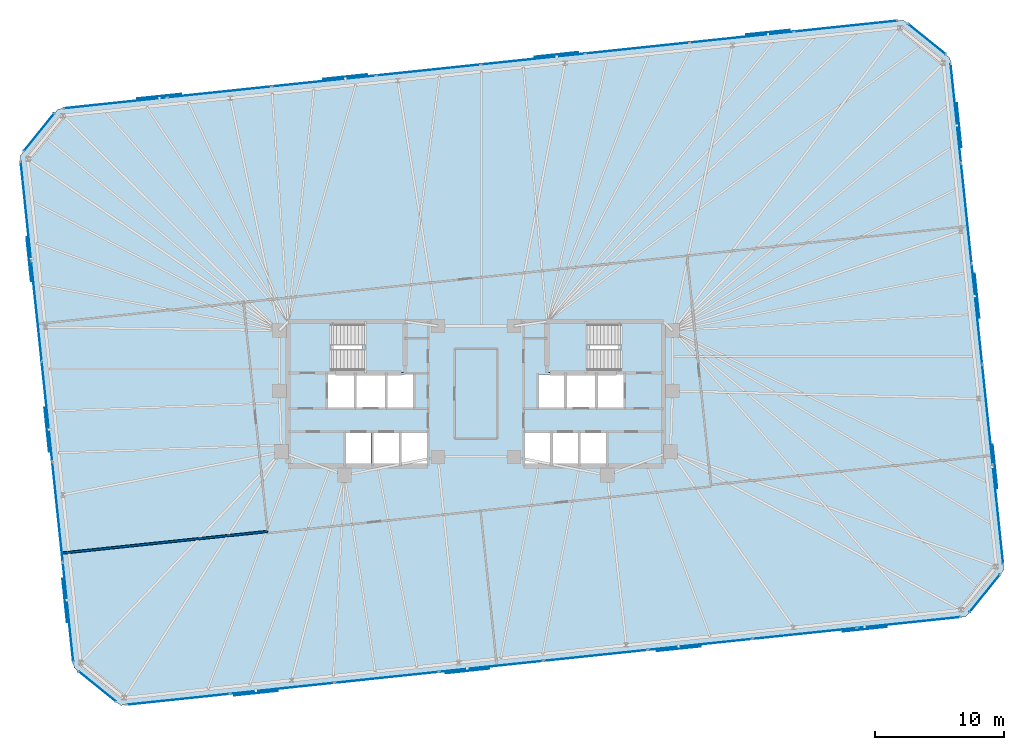
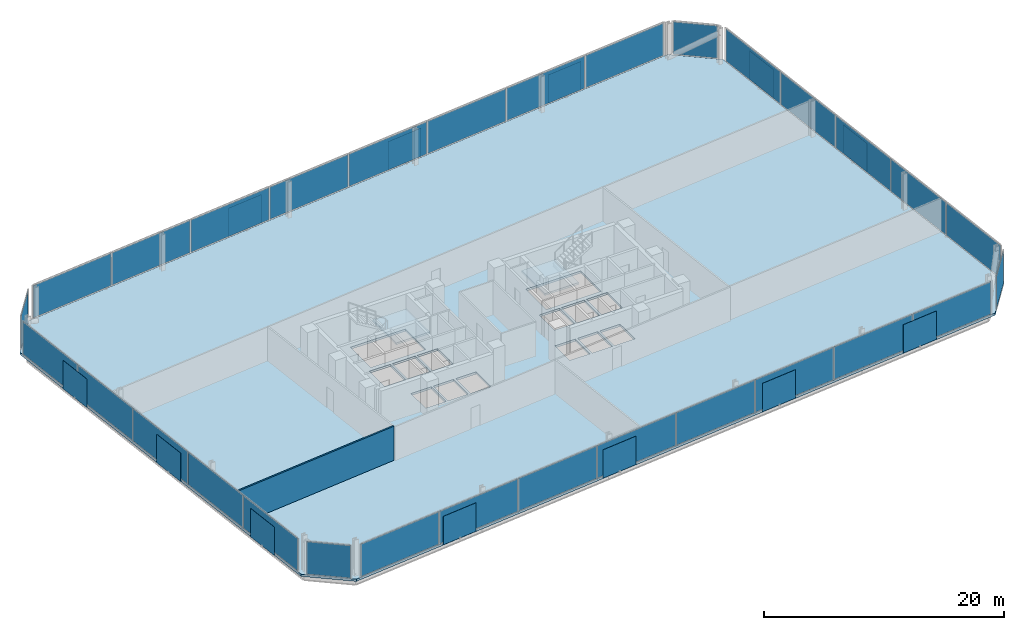
# One storey, part 13 of 17: 44 plates, 3 slabs, 1 wall, 10 elements without a shape of their own.
"""IFC4 building model written with IfcOpenShell, lengths in metres."""

from ifc_helpers import new_model, si_unit, direction, frame, frame_2d, origin, origin_2d, place, context, subcontext, project, spatial, polyline, rectangle, outline, extrude, material, layer, layer_set, type_object, element, aggregate, save


model = new_model("IFC4")

# Units and contexts
model_context = context("Model", 3, precision=1e-05, world=origin(), true_north=direction((0.0, 1.0)))
body_context = subcontext(model_context, "Body", "Model", "MODEL_VIEW")
ifc_project = project(units=[si_unit("LENGTHUNIT", "METRE"), si_unit("AREAUNIT", "SQUARE_METRE"), si_unit("VOLUMEUNIT", "CUBIC_METRE"), si_unit("PLANEANGLEUNIT", "RADIAN"), si_unit("MASSUNIT", "GRAM", prefix="KILO")], contexts=[model_context])

# Site, building, storey
site_placement = place(None, origin())
site = spatial("IfcSite", under=ifc_project, at=site_placement, CompositionType="ELEMENT")
building_placement = place(site_placement, origin())
building = spatial("IfcBuilding", under=site, at=building_placement, Name="Menara Jurai Vektor", CompositionType="ELEMENT")
storey_placement = place(building_placement, frame((0.0, 0.0, 109.60009765625)))
storey = spatial("IfcBuildingStorey", under=building, at=storey_placement, Name="L27", CompositionType="ELEMENT", Elevation=109.60009765625)

# Curtain wall, plates
ifc_material_1 = material(Name="Anodised Pale Aluminium & Low-E Double Glazing", Category="aluminium")
curtain_wall_type = type_object("IfcCurtainWallType", Name="CW-BLK2", PredefinedType="NOTDEFINED", material=ifc_material_1)
curtain_wall_1_placement = place(storey_placement, origin())
curtain_wall_1 = element("IfcCurtainWall", 1, at=curtain_wall_1_placement, inside=storey, type_object=curtain_wall_type, Name="Unitised Curtain Wall L27 F01", PredefinedType="NOTDEFINED")
ifc_material_2 = material(Name="Low-E Solar-Control Double Glazed Unit", Category="glass")
ifc_layer_1 = layer(ifc_material_2, 0.033935546875)
ifc_layer_set_1 = layer_set([ifc_layer_1], Name="Low-E Solar-Control Double Glazed Unit")
plate_type_1 = type_object("IfcPlateType", Name="CW-BLK2-PNL", PredefinedType="CURTAIN_PANEL", material=ifc_layer_set_1)
plate_1_placement = place(storey_placement, frame((-23.090087890625, -23.69921875, 0.08984375), z_axis=(0.0, 0.0, 1.0), x_axis=(0.994521877325, 0.104528634935, 0.0)))
plate_1 = element("IfcPlate", 2, at=plate_1_placement, type_object=plate_type_1, Name="CW-02 panel 1.1", PredefinedType="CURTAIN_PANEL", context=body_context, shape_type="SweptSolid", body=[
    extrude(rectangle(XDim=8.007568359375, YDim=0.033935546875, at=origin_2d()), origin(), (0.0, 0.0, 1.0), 3.294921875),
])
plate_2_placement = place(storey_placement, frame((-15.014404296875, -22.850341796875, 0.08984375), z_axis=(0.0, 0.0, 1.0), x_axis=(0.994521877325, 0.104528634935, 0.0)))
plate_2 = element("IfcPlate", 3, at=plate_2_placement, type_object=plate_type_1, Name="CW-02 panel 2.1", PredefinedType="CURTAIN_PANEL", context=body_context, shape_type="SweptSolid", body=[
    extrude(rectangle(XDim=8.052490234375, YDim=0.033935546875, at=origin_2d()), origin(), (0.0, 0.0, 1.0), 3.294921875),
])
plate_3_placement = place(storey_placement, frame((-6.91650390625, -21.999267578125, 0.08984375), z_axis=(0.0, 0.0, 1.0), x_axis=(0.994521877325, 0.104528634935, 0.0)))
plate_3 = element("IfcPlate", 4, at=plate_3_placement, type_object=plate_type_1, Name="CW-02 panel 3.1", PredefinedType="CURTAIN_PANEL", context=body_context, shape_type="SweptSolid", body=[
    extrude(rectangle(XDim=8.052490234375, YDim=0.033935546875, at=origin_2d()), origin(), (0.0, 0.0, 1.0), 3.294921875),
])
plate_4_placement = place(storey_placement, frame((1.181396484375, -21.148193359375, 0.08984375), z_axis=(0.0, 0.0, 1.0), x_axis=(0.994521877325, 0.104528634935, 0.0)))
plate_4 = element("IfcPlate", 5, at=plate_4_placement, type_object=plate_type_1, Name="CW-02 panel 4.1", PredefinedType="CURTAIN_PANEL", context=body_context, shape_type="SweptSolid", body=[
    extrude(rectangle(XDim=8.052490234375, YDim=0.033935546875, at=origin_2d()), origin(), (0.0, 0.0, 1.0), 3.294921875),
])
plate_5_placement = place(storey_placement, frame((9.279296875, -20.297119140625, 0.08984375), z_axis=(0.0, 0.0, 1.0), x_axis=(0.994521877325, 0.104528634935, 0.0)))
plate_5 = element("IfcPlate", 6, at=plate_5_placement, type_object=plate_type_1, Name="CW-02 panel 5.1", PredefinedType="CURTAIN_PANEL", context=body_context, shape_type="SweptSolid", body=[
    extrude(rectangle(XDim=8.052490234375, YDim=0.033935546875, at=origin_2d()), origin(), (0.0, 0.0, 1.0), 3.294921875),
])
plate_6_placement = place(storey_placement, frame((17.377197265625, -19.44580078125, 0.08984375), z_axis=(0.0, 0.0, 1.0), x_axis=(0.994521877325, 0.104528634935, 0.0)))
plate_6 = element("IfcPlate", 7, at=plate_6_placement, type_object=plate_type_1, Name="CW-02 panel 6.1", PredefinedType="CURTAIN_PANEL", context=body_context, shape_type="SweptSolid", body=[
    extrude(rectangle(XDim=8.052490234375, YDim=0.033935546875, at=origin_2d()), origin(), (0.0, 0.0, 1.0), 3.294921875),
])
plate_7_placement = place(storey_placement, frame((25.47509765625, -18.5947265625, 0.08984375), z_axis=(0.0, 0.0, 1.0), x_axis=(0.994521877325, 0.104528634935, 0.0)))
plate_7 = element("IfcPlate", 8, at=plate_7_placement, type_object=plate_type_1, Name="CW-02 panel 7.1", PredefinedType="CURTAIN_PANEL", context=body_context, shape_type="SweptSolid", body=[
    extrude(rectangle(XDim=8.052490234375, YDim=0.033935546875, at=origin_2d()), origin(), (0.0, 0.0, 1.0), 3.294921875),
])
plate_8_placement = place(storey_placement, frame((33.550537109375, -17.74609375, 0.08984375), z_axis=(0.0, 0.0, 1.0), x_axis=(0.994521877325, 0.104528634935, 0.0)))
plate_8 = element("IfcPlate", 9, at=plate_8_placement, type_object=plate_type_1, Name="CW-02 panel 8.1", PredefinedType="CURTAIN_PANEL", context=body_context, shape_type="SweptSolid", body=[
    extrude(rectangle(XDim=8.007568359375, YDim=0.033935546875, at=origin_2d()), origin(), (0.0, 0.0, 1.0), 3.294921875),
])
aggregate(curtain_wall_1, [plate_1, plate_2, plate_3, plate_4, plate_5, plate_6, plate_7, plate_8])

curtain_wall_2_placement = place(storey_placement, origin())
curtain_wall_2 = element("IfcCurtainWall", 10, at=curtain_wall_2_placement, inside=storey, type_object=curtain_wall_type, Name="Unitised Curtain Wall L27 F03", PredefinedType="NOTDEFINED")
plate_9_placement = place(storey_placement, frame((40.485595703125, -9.358642578125, 0.08984375), z_axis=(0.0, 0.0, 1.0), x_axis=(-0.104529576902, 0.99452177832, 0.0)))
plate_9 = element("IfcPlate", 11, at=plate_9_placement, type_object=plate_type_1, Name="CW-02 panel 1.1", PredefinedType="CURTAIN_PANEL", context=body_context, shape_type="SweptSolid", body=[
    extrude(rectangle(XDim=7.693115234375, YDim=0.033935546875, at=origin_2d()), origin(), (0.0, 0.0, 1.0), 3.294921875),
])
plate_10_placement = place(storey_placement, frame((39.669677734375, -1.595947265625, 0.08984375), z_axis=(0.0, 0.0, 1.0), x_axis=(-0.104529576902, 0.99452177832, 0.0)))
plate_10 = element("IfcPlate", 12, at=plate_10_placement, type_object=plate_type_1, Name="CW-02 panel 2.1", PredefinedType="CURTAIN_PANEL", context=body_context, shape_type="SweptSolid", body=[
    extrude(rectangle(XDim=7.738037109375, YDim=0.033935546875, at=origin_2d()), origin(), (0.0, 0.0, 1.0), 3.294921875),
])
plate_11_placement = place(storey_placement, frame((38.8515625, 6.189208984375, 0.08984375), z_axis=(0.0, 0.0, 1.0), x_axis=(-0.104529576902, 0.99452177832, 0.0)))
plate_11 = element("IfcPlate", 13, at=plate_11_placement, type_object=plate_type_1, Name="CW-02 panel 3.1", PredefinedType="CURTAIN_PANEL", context=body_context, shape_type="SweptSolid", body=[
    extrude(rectangle(XDim=7.738037109375, YDim=0.033935546875, at=origin_2d()), origin(), (0.0, 0.0, 1.0), 3.294921875),
])
plate_12_placement = place(storey_placement, frame((38.033203125, 13.974365234375, 0.08984375), z_axis=(0.0, 0.0, 1.0), x_axis=(-0.104529576902, 0.99452177832, 0.0)))
plate_12 = element("IfcPlate", 14, at=plate_12_placement, type_object=plate_type_1, Name="CW-02 panel 4.1", PredefinedType="CURTAIN_PANEL", context=body_context, shape_type="SweptSolid", body=[
    extrude(rectangle(XDim=7.738037109375, YDim=0.033935546875, at=origin_2d()), origin(), (0.0, 0.0, 1.0), 3.294921875),
])
plate_13_placement = place(storey_placement, frame((37.21728515625, 21.737060546875, 0.08984375), z_axis=(0.0, 0.0, 1.0), x_axis=(-0.104529576902, 0.99452177832, 0.0)))
plate_13 = element("IfcPlate", 15, at=plate_13_placement, type_object=plate_type_1, Name="CW-02 panel 5.1", PredefinedType="CURTAIN_PANEL", context=body_context, shape_type="SweptSolid", body=[
    extrude(rectangle(XDim=7.693115234375, YDim=0.033935546875, at=origin_2d()), origin(), (0.0, 0.0, 1.0), 3.294921875),
])
aggregate(curtain_wall_2, [plate_9, plate_10, plate_11, plate_12, plate_13])

curtain_wall_3_placement = place(storey_placement, origin())
curtain_wall_3 = element("IfcCurtainWall", 16, at=curtain_wall_3_placement, inside=storey, type_object=curtain_wall_type, Name="Unitised Curtain Wall L27 F05", PredefinedType="NOTDEFINED")
plate_14_placement = place(storey_placement, frame((28.68994140625, 28.499267578125, 0.08984375), z_axis=(0.0, 0.0, 1.0), x_axis=(-0.994521877325, -0.104528634935, 0.0)))
plate_14 = element("IfcPlate", 17, at=plate_14_placement, type_object=plate_type_1, Name="CW-02 panel 1.1", PredefinedType="CURTAIN_PANEL", context=body_context, shape_type="SweptSolid", body=[
    extrude(rectangle(XDim=8.007568359375, YDim=0.033935546875, at=origin_2d()), origin(), (0.0, 0.0, 1.0), 3.294921875),
])
plate_15_placement = place(storey_placement, frame((20.614501953125, 27.650390625, 0.08984375), z_axis=(0.0, 0.0, 1.0), x_axis=(-0.994521877325, -0.104528634935, 0.0)))
plate_15 = element("IfcPlate", 18, at=plate_15_placement, type_object=plate_type_1, Name="CW-02 panel 2.1", PredefinedType="CURTAIN_PANEL", context=body_context, shape_type="SweptSolid", body=[
    extrude(rectangle(XDim=8.052490234375, YDim=0.033935546875, at=origin_2d()), origin(), (0.0, 0.0, 1.0), 3.294921875),
])
plate_16_placement = place(storey_placement, frame((12.5166015625, 26.79931640625, 0.08984375), z_axis=(0.0, 0.0, 1.0), x_axis=(-0.994521877325, -0.104528634935, 0.0)))
plate_16 = element("IfcPlate", 19, at=plate_16_placement, type_object=plate_type_1, Name="CW-02 panel 3.1", PredefinedType="CURTAIN_PANEL", context=body_context, shape_type="SweptSolid", body=[
    extrude(rectangle(XDim=8.052490234375, YDim=0.033935546875, at=origin_2d()), origin(), (0.0, 0.0, 1.0), 3.294921875),
])
plate_17_placement = place(storey_placement, frame((4.418701171875, 25.9482421875, 0.08984375), z_axis=(0.0, 0.0, 1.0), x_axis=(-0.994521877325, -0.104528634935, 0.0)))
plate_17 = element("IfcPlate", 20, at=plate_17_placement, type_object=plate_type_1, Name="CW-02 panel 4.1", PredefinedType="CURTAIN_PANEL", context=body_context, shape_type="SweptSolid", body=[
    extrude(rectangle(XDim=8.052490234375, YDim=0.033935546875, at=origin_2d()), origin(), (0.0, 0.0, 1.0), 3.294921875),
])
plate_18_placement = place(storey_placement, frame((-3.67919921875, 25.096923828125, 0.08984375), z_axis=(0.0, 0.0, 1.0), x_axis=(-0.994521877325, -0.104528634935, 0.0)))
plate_18 = element("IfcPlate", 21, at=plate_18_placement, type_object=plate_type_1, Name="CW-02 panel 5.1", PredefinedType="CURTAIN_PANEL", context=body_context, shape_type="SweptSolid", body=[
    extrude(rectangle(XDim=8.052490234375, YDim=0.033935546875, at=origin_2d()), origin(), (0.0, 0.0, 1.0), 3.294921875),
])
plate_19_placement = place(storey_placement, frame((-11.777099609375, 24.245849609375, 0.08984375), z_axis=(0.0, 0.0, 1.0), x_axis=(-0.994521877325, -0.104528634935, 0.0)))
plate_19 = element("IfcPlate", 22, at=plate_19_placement, type_object=plate_type_1, Name="CW-02 panel 6.1", PredefinedType="CURTAIN_PANEL", context=body_context, shape_type="SweptSolid", body=[
    extrude(rectangle(XDim=8.052490234375, YDim=0.033935546875, at=origin_2d()), origin(), (0.0, 0.0, 1.0), 3.294921875),
])
plate_20_placement = place(storey_placement, frame((-19.875, 23.394775390625, 0.08984375), z_axis=(0.0, 0.0, 1.0), x_axis=(-0.994521877325, -0.104528634935, 0.0)))
plate_20 = element("IfcPlate", 23, at=plate_20_placement, type_object=plate_type_1, Name="CW-02 panel 7.1", PredefinedType="CURTAIN_PANEL", context=body_context, shape_type="SweptSolid", body=[
    extrude(rectangle(XDim=8.052490234375, YDim=0.033935546875, at=origin_2d()), origin(), (0.0, 0.0, 1.0), 3.294921875),
])
plate_21_placement = place(storey_placement, frame((-27.95068359375, 22.5458984375, 0.08984375), z_axis=(0.0, 0.0, 1.0), x_axis=(-0.994521877325, -0.104528634935, 0.0)))
plate_21 = element("IfcPlate", 24, at=plate_21_placement, type_object=plate_type_1, Name="CW-02 panel 8.1", PredefinedType="CURTAIN_PANEL", context=body_context, shape_type="SweptSolid", body=[
    extrude(rectangle(XDim=8.007568359375, YDim=0.033935546875, at=origin_2d()), origin(), (0.0, 0.0, 1.0), 3.294921875),
])
aggregate(curtain_wall_3, [plate_14, plate_15, plate_16, plate_17, plate_18, plate_19, plate_20, plate_21])

curtain_wall_4_placement = place(storey_placement, origin())
curtain_wall_4 = element("IfcCurtainWall", 25, at=curtain_wall_4_placement, inside=storey, type_object=curtain_wall_type, Name="Unitised Curtain Wall L27 F07", PredefinedType="NOTDEFINED")
plate_22_placement = place(storey_placement, frame((-34.885498046875, 14.15869140625, 0.08984375), z_axis=(0.0, 0.0, 1.0), x_axis=(0.104529576902, -0.99452177832, 0.0)))
plate_22 = element("IfcPlate", 26, at=plate_22_placement, type_object=plate_type_1, Name="CW-02 panel 1.1", PredefinedType="CURTAIN_PANEL", context=body_context, shape_type="SweptSolid", body=[
    extrude(rectangle(XDim=7.693115234375, YDim=0.033935546875, at=origin_2d()), origin(), (0.0, 0.0, 1.0), 3.294921875),
])
plate_23_placement = place(storey_placement, frame((-34.06982421875, 6.39599609375, 0.08984375), z_axis=(0.0, 0.0, 1.0), x_axis=(0.104529576902, -0.99452177832, 0.0)))
plate_23 = element("IfcPlate", 27, at=plate_23_placement, type_object=plate_type_1, Name="CW-02 panel 2.1", PredefinedType="CURTAIN_PANEL", context=body_context, shape_type="SweptSolid", body=[
    extrude(rectangle(XDim=7.738037109375, YDim=0.033935546875, at=origin_2d()), origin(), (0.0, 0.0, 1.0), 3.294921875),
])
plate_24_placement = place(storey_placement, frame((-33.25146484375, -1.38916015625, 0.08984375), z_axis=(0.0, 0.0, 1.0), x_axis=(0.104529576902, -0.99452177832, 0.0)))
plate_24 = element("IfcPlate", 28, at=plate_24_placement, type_object=plate_type_1, Name="CW-02 panel 3.1", PredefinedType="CURTAIN_PANEL", context=body_context, shape_type="SweptSolid", body=[
    extrude(rectangle(XDim=7.738037109375, YDim=0.033935546875, at=origin_2d()), origin(), (0.0, 0.0, 1.0), 3.294921875),
])
plate_25_placement = place(storey_placement, frame((-32.43310546875, -9.17431640625, 0.08984375), z_axis=(0.0, 0.0, 1.0), x_axis=(0.104529576902, -0.99452177832, 0.0)))
plate_25 = element("IfcPlate", 29, at=plate_25_placement, type_object=plate_type_1, Name="CW-02 panel 4.1", PredefinedType="CURTAIN_PANEL", context=body_context, shape_type="SweptSolid", body=[
    extrude(rectangle(XDim=7.738037109375, YDim=0.033935546875, at=origin_2d()), origin(), (0.0, 0.0, 1.0), 3.294921875),
])
plate_26_placement = place(storey_placement, frame((-31.6171875, -16.93701171875, 0.08984375), z_axis=(0.0, 0.0, 1.0), x_axis=(0.104529576902, -0.99452177832, 0.0)))
plate_26 = element("IfcPlate", 30, at=plate_26_placement, type_object=plate_type_1, Name="CW-02 panel 5.1", PredefinedType="CURTAIN_PANEL", context=body_context, shape_type="SweptSolid", body=[
    extrude(rectangle(XDim=7.693115234375, YDim=0.033935546875, at=origin_2d()), origin(), (0.0, 0.0, 1.0), 3.294921875),
])
aggregate(curtain_wall_4, [plate_22, plate_23, plate_24, plate_25, plate_26])

# Curtain wall, plate
curtain_wall_5_placement = place(storey_placement, origin())
curtain_wall_5 = element("IfcCurtainWall", 31, at=curtain_wall_5_placement, inside=storey, type_object=curtain_wall_type, Name="Unitised Curtain Wall L27 F02", PredefinedType="NOTDEFINED")
ifc_material_3 = material(Name="Insulated Pale Aluminium Spandrel Panel", Category="aluminium")
ifc_layer_2 = layer(ifc_material_3, 0.06005859375)
ifc_layer_set_2 = layer_set([ifc_layer_2], Name="Insulated Pale Aluminium Spandrel Panel")
plate_type_2 = type_object("IfcPlateType", Name="CW-PNL-SP", PredefinedType="CURTAIN_PANEL", material=ifc_layer_set_2)
plate_27_placement = place(storey_placement, frame((39.46826171875, -15.465087890625, 0.08984375), z_axis=(0.0, 0.0, 1.0), x_axis=(0.62934106172, 0.777129222223, 0.0)))
plate_27 = element("IfcPlate", 32, at=plate_27_placement, type_object=plate_type_2, Name="CW-02 panel 1.1", PredefinedType="CURTAIN_PANEL", context=body_context, shape_type="SweptSolid", body=[
    extrude(rectangle(XDim=3.72705078125, YDim=0.06005859375, at=origin_2d()), origin(), (0.0, 0.0, 1.0), 3.294921875),
])
aggregate(curtain_wall_5, [plate_27])

curtain_wall_6_placement = place(storey_placement, origin())
curtain_wall_6 = element("IfcCurtainWall", 33, at=curtain_wall_6_placement, inside=storey, type_object=curtain_wall_type, Name="Unitised Curtain Wall L27 F04", PredefinedType="NOTDEFINED")
plate_28_placement = place(storey_placement, frame((34.95263671875, 27.498291015625, 0.08984375), z_axis=(0.0, 0.0, 1.0), x_axis=(-0.777151877437, 0.629313085353, 0.0)))
plate_28 = element("IfcPlate", 34, at=plate_28_placement, type_object=plate_type_2, Name="CW-02 panel 1.1", PredefinedType="CURTAIN_PANEL", context=body_context, shape_type="SweptSolid", body=[
    extrude(rectangle(XDim=3.72705078125, YDim=0.06005859375, at=origin_2d()), origin(), (0.0, 0.0, 1.0), 3.294921875),
])
aggregate(curtain_wall_6, [plate_28])

curtain_wall_7_placement = place(storey_placement, origin())
curtain_wall_7 = element("IfcCurtainWall", 35, at=curtain_wall_7_placement, inside=storey, type_object=curtain_wall_type, Name="Unitised Curtain Wall L27 F06", PredefinedType="NOTDEFINED")
plate_29_placement = place(storey_placement, frame((-33.868408203125, 20.264892578125, 0.08984375), z_axis=(0.0, 0.0, 1.0), x_axis=(-0.62934106172, -0.777129222223, 0.0)))
plate_29 = element("IfcPlate", 36, at=plate_29_placement, type_object=plate_type_2, Name="CW-02 panel 1.1", PredefinedType="CURTAIN_PANEL", context=body_context, shape_type="SweptSolid", body=[
    extrude(rectangle(XDim=3.72705078125, YDim=0.06005859375, at=origin_2d()), origin(), (0.0, 0.0, 1.0), 3.294921875),
])
aggregate(curtain_wall_7, [plate_29])

curtain_wall_8_placement = place(storey_placement, origin())
curtain_wall_8 = element("IfcCurtainWall", 37, at=curtain_wall_8_placement, inside=storey, type_object=curtain_wall_type, Name="Unitised Curtain Wall L27 F08", PredefinedType="NOTDEFINED")
plate_30_placement = place(storey_placement, frame((-29.3525390625, -22.6982421875, 0.08984375), z_axis=(0.0, 0.0, 1.0), x_axis=(0.777151877437, -0.629313085353, 0.0)))
plate_30 = element("IfcPlate", 38, at=plate_30_placement, type_object=plate_type_2, Name="CW-02 panel 1.1", PredefinedType="CURTAIN_PANEL", context=body_context, shape_type="SweptSolid", body=[
    extrude(rectangle(XDim=3.72705078125, YDim=0.06005859375, at=origin_2d()), origin(), (0.0, 0.0, 1.0), 3.294921875),
])
aggregate(curtain_wall_8, [plate_30])

# Plates
ifc_material_4 = material(Name="Anodised Pale Aluminium Perforated Screen", Category="aluminium")
ifc_layer_3 = layer(ifc_material_4, 0.02392578125)
ifc_layer_set_3 = layer_set([ifc_layer_3], Name="Anodised Pale Aluminium Perforated Screen")
plate_type_3 = type_object("IfcPlateType", Name="ENV-PLT-SCREEN", PredefinedType="USERDEFINED", material=ifc_layer_set_3)
for number, where, z_axis, x_axis, name in (
    (39, (-17.0361328125, -23.223876953125, -0.050048828125), (0.0, 0.0, 1.0), (0.994521895368, 0.104528463268, 0.0), "Perforated Pale-Metal Solar Screen L27-S01"),
    (40, (-0.651611328125, -21.501708984375, -0.050048828125), (0.0, 0.0, 1.0), (0.994521895368, 0.104528463268, 0.0), "Perforated Pale-Metal Solar Screen L27-S02"),
    (41, (15.7333984375, -19.779541015625, -0.050048828125), (0.0, 0.0, 1.0), (0.994521895368, 0.104528463268, 0.0), "Perforated Pale-Metal Solar Screen L27-S03"),
    (42, (30.15185546875, -18.26416015625, -0.050048828125), (0.0, 0.0, 1.0), (0.994521895368, 0.104528463268, 0.0), "Perforated Pale-Metal Solar Screen L27-S04"),
    (43, (40.2548828125, -5.63232421875, -0.050048828125), (0.0, 0.0, 1.0), (-0.104528463268, 0.994521895368, 0.0), "Perforated Pale-Metal Solar Screen L27-S05"),
    (44, (38.864501953125, 7.5947265625, -0.050048828125), (0.0, 0.0, 1.0), (-0.104528463268, 0.994521895368, 0.0), "Perforated Pale-Metal Solar Screen L27-S06"),
    (45, (37.474365234375, 20.822021484375, -0.050048828125), (0.0, 0.0, 1.0), (-0.104528463268, 0.994521895368, 0.0), "Perforated Pale-Metal Solar Screen L27-S07"),
    (46, (22.63623046875, 28.023681640625, -0.050048828125), (0.0, 0.0, 1.0), (-0.994521895368, -0.104528463268, 0.0), "Perforated Pale-Metal Solar Screen L27-S08"),
    (47, (6.25146484375, 26.3017578125, -0.050048828125), (0.0, 0.0, 1.0), (-0.994521895368, -0.104528463268, 0.0), "Perforated Pale-Metal Solar Screen L27-S09"),
    (48, (-10.13330078125, 24.57958984375, -0.050048828125), (0.0, 0.0, 1.0), (-0.994521895368, -0.104528463268, 0.0), "Perforated Pale-Metal Solar Screen L27-S10"),
    (49, (-24.5517578125, 23.064208984375, -0.050048828125), (0.0, 0.0, 1.0), (-0.994521895368, -0.104528463268, 0.0), "Perforated Pale-Metal Solar Screen L27-S11"),
    (50, (-34.65478515625, 10.432373046875, -0.050048828125), (0.0, 0.0, 1.0), (0.104528463268, -0.994521895368, 0.0), "Perforated Pale-Metal Solar Screen L27-S12"),
    (51, (-33.2646484375, -2.794677734375, -0.050048828125), (0.0, 0.0, 1.0), (0.104528463268, -0.994521895368, 0.0), "Perforated Pale-Metal Solar Screen L27-S13"),
    (52, (-31.87451171875, -16.02197265625, -0.050048828125), (0.0, 0.0, 1.0), (0.104528463268, -0.994521895368, 0.0), "Perforated Pale-Metal Solar Screen L27-S14"),
):
    element("IfcPlate", number, at=place(storey_placement, frame(where, z_axis=z_axis, x_axis=x_axis)), inside=storey, type_object=plate_type_3, Name=name, ObjectType="SCREEN", PredefinedType="USERDEFINED", context=body_context, shape_type="SweptSolid", body=[
        extrude(rectangle(XDim=3.39990234375, YDim=0.02392578125, at=origin_2d()), origin(), (0.0, 0.0, 1.0), 2.89990234375),
    ])

# Stair, slab
ifc_material_5 = material(Name="Concrete C40/50", Category="concrete")
stair_type = type_object("IfcStairType", Name="STAIR-DOGLEG-1500", PredefinedType="HALF_TURN_STAIR", material=ifc_material_5)
stair_1_placement = place(storey_placement, origin())
stair_1 = element("IfcStair", 53, at=stair_1_placement, inside=storey, type_object=stair_type, Name="Protected Exit Stair ST1 L27", PredefinedType="HALF_TURN_STAIR")
ifc_layer_4 = layer(ifc_material_5, 0.199951171875)
ifc_layer_set_4 = layer_set([ifc_layer_4], Name="Concrete C40/50")
slab_type_1 = type_object("IfcSlabType", Name="STAIR-LANDING-200", PredefinedType="LANDING", material=ifc_layer_set_4)
slab_1_placement = place(storey_placement, frame((0.0, 0.0, 1.64990234375)))
slab_1 = element("IfcSlab", 54, at=slab_1_placement, type_object=slab_type_1, Name="ST1 landing 1", PredefinedType="LANDING", context=body_context, shape_type="SweptSolid", body=[
    extrude(outline(polyline([(-8.800048828125, 1.64990234375), (-5.550048828125, 1.64990234375), (-5.550048828125, 5.550048828125), (-8.800048828125, 5.550048828125), (-8.800048828125, 1.64990234375)])), origin(), (0.0, 0.0, 1.0), 0.199951171875),
])
aggregate(stair_1, [slab_1])

stair_2_placement = place(storey_placement, origin())
stair_2 = element("IfcStair", 55, at=stair_2_placement, inside=storey, type_object=stair_type, Name="Protected Exit Stair ST2 L27", PredefinedType="HALF_TURN_STAIR")
slab_2_placement = place(storey_placement, frame((0.0, 0.0, 1.64990234375)))
slab_2 = element("IfcSlab", 56, at=slab_2_placement, type_object=slab_type_1, Name="ST2 landing 1", PredefinedType="LANDING", context=body_context, shape_type="SweptSolid", body=[
    extrude(outline(polyline([(5.550048828125, 1.64990234375), (8.800048828125, 1.64990234375), (8.800048828125, 5.550048828125), (5.550048828125, 5.550048828125), (5.550048828125, 1.64990234375)])), origin(), (0.0, 0.0, 1.0), 0.199951171875),
])
aggregate(stair_2, [slab_2])

# Slab
ifc_layer_5 = layer(ifc_material_5, 0.22509765625)
ifc_layer_set_5 = layer_set([ifc_layer_5], Name="Concrete C40/50")
slab_type_2 = type_object("IfcSlabType", Name="STR-SLAB-TYP200", PredefinedType="FLOOR", material=ifc_layer_set_5)
slab_3_placement = place(storey_placement, frame((0.0, 0.0, -0.22509765625)))
element("IfcSlab", 57, at=slab_3_placement, inside=storey, type_object=slab_type_2, Name="Composite Floor Slab L27", PredefinedType="FLOOR", context=body_context, shape_type="SweptSolid", body=[
    extrude(outline(polyline([(-27.539306640625, -24.166748046875), (37.999755859375, -17.2783203125), (40.936767578125, -13.651611328125), (36.76611328125, 26.02978515625), (33.13916015625, 28.966796875), (-32.39990234375, 22.078369140625), (-35.3369140625, 18.45166015625), (-31.166015625, -21.22998046875), (-27.539306640625, -24.166748046875)]), holes=[polyline([(-11.10009765625, 1.89990234375), (-11.10009765625, 5.300048828125), (-5.800048828125, 5.300048828125), (-5.800048828125, 1.89990234375), (-11.10009765625, 1.89990234375)]), polyline([(5.800048828125, 1.89990234375), (5.800048828125, 5.300048828125), (11.10009765625, 5.300048828125), (11.10009765625, 1.89990234375), (5.800048828125, 1.89990234375)]), polyline([(-11.449951171875, -1.050048828125), (-11.449951171875, 1.5), (-9.449951171875, 1.5), (-9.449951171875, -1.050048828125), (-11.449951171875, -1.050048828125)]), polyline([(9.449951171875, -1.050048828125), (9.449951171875, 1.5), (11.449951171875, 1.5), (11.449951171875, -1.050048828125), (9.449951171875, -1.050048828125)]), polyline([(-5.760009765625, -5.5), (-5.760009765625, -3.050048828125), (-3.800048828125, -3.050048828125), (-3.800048828125, -5.5), (-5.760009765625, -5.5)]), polyline([(-6.85009765625, -1.050048828125), (-6.85009765625, 1.5), (-4.889892578125, 1.5), (-4.889892578125, -1.050048828125), (-6.85009765625, -1.050048828125)]), polyline([(3.800048828125, -5.5), (3.800048828125, -3.050048828125), (5.760009765625, -3.050048828125), (5.760009765625, -5.5), (3.800048828125, -5.5)]), polyline([(4.889892578125, -1.050048828125), (4.889892578125, 1.5), (6.85009765625, 1.5), (6.85009765625, -1.050048828125), (4.889892578125, -1.050048828125)]), polyline([(-10.080078125, -5.5), (-10.080078125, -3.050048828125), (-8.1201171875, -3.050048828125), (-8.1201171875, -5.5), (-10.080078125, -5.5)]), polyline([(-7.919921875, -5.5), (-7.919921875, -3.050048828125), (-5.9599609375, -3.050048828125), (-5.9599609375, -5.5), (-7.919921875, -5.5)]), polyline([(5.9599609375, -5.5), (5.9599609375, -3.050048828125), (7.919921875, -3.050048828125), (7.919921875, -5.5), (5.9599609375, -5.5)]), polyline([(8.1201171875, -5.5), (8.1201171875, -3.050048828125), (10.080078125, -3.050048828125), (10.080078125, -5.5), (8.1201171875, -5.5)]), polyline([(-9.25, -1.050048828125), (-9.25, 1.5), (-7.050048828125, 1.5), (-7.050048828125, -1.050048828125), (-9.25, -1.050048828125)]), polyline([(7.050048828125, -1.050048828125), (7.050048828125, 1.5), (9.25, 1.5), (9.25, -1.050048828125), (7.050048828125, -1.050048828125)])]), origin(), (0.0, 0.0, 1.0), 0.22509765625),
])

# Wall
ifc_material_6 = material(Name="Gypsum Fireboard Partition", Category="gypsum")
ifc_layer_6 = layer(ifc_material_6, 0.14990234375)
ifc_layer_set_6 = layer_set([ifc_layer_6], Name="Gypsum Fireboard Partition")
wall_type = type_object("IfcWallType", Name="INT-WALL-CORR-150", PredefinedType="PARTITIONING", material=ifc_layer_set_6)
wall_placement = place(storey_placement, frame((-32.0986328125, -12.357666015625, 0.0), z_axis=(0.0, 0.0, 1.0), x_axis=(0.994522794159, 0.104519911488, 0.0)))
element("IfcWall", 58, at=wall_placement, inside=storey, type_object=wall_type, Name="Interior Wall IW-150 L27", PredefinedType="PARTITIONING", context=body_context, shape_type="SweptSolid", body=[
    extrude(rectangle(XDim=16.033203125, YDim=0.14990234375, at=frame_2d((8.0166015625, 0.0))), origin(), (0.0, 0.0, 1.0), 3.474853515625),
])

save(model, "model.ifc")
